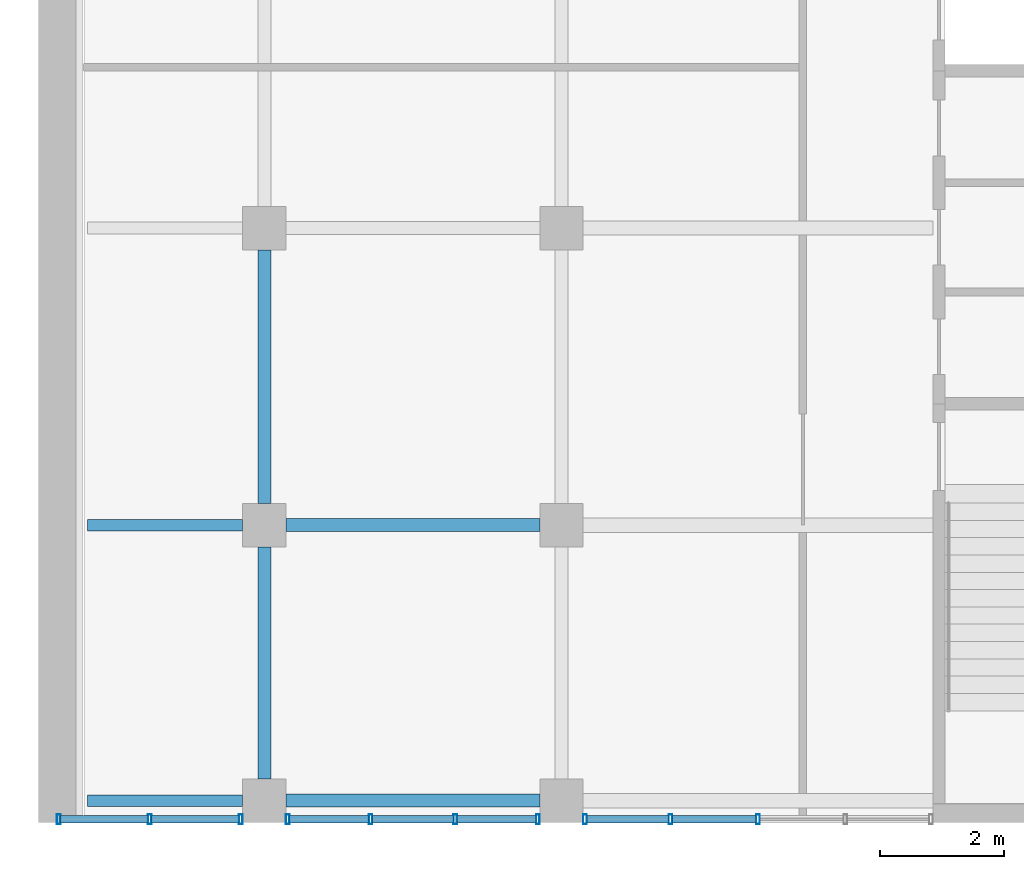
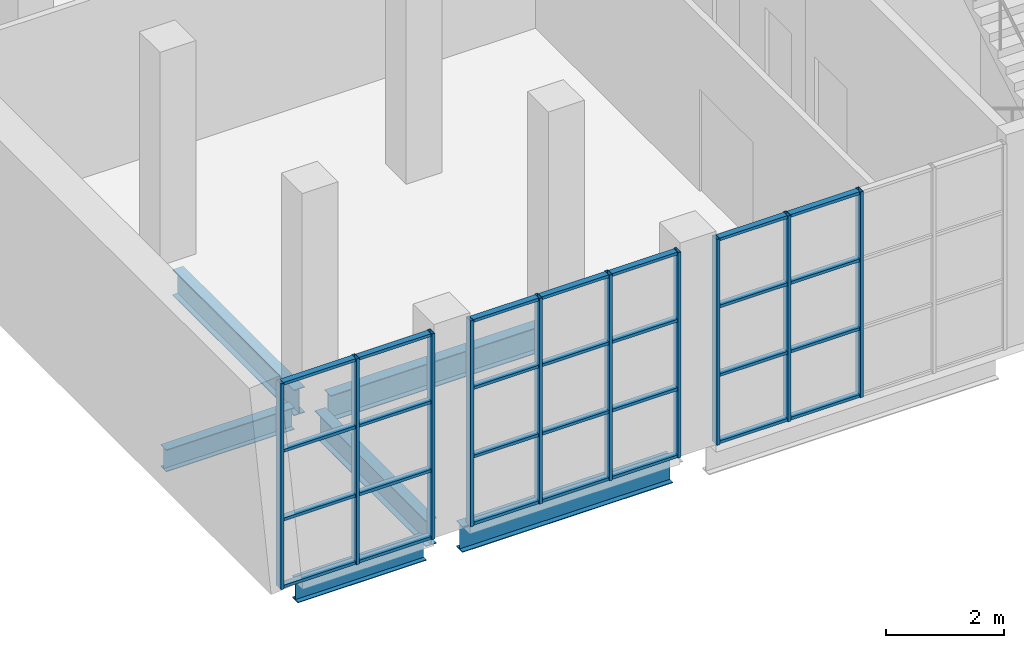
# One storey, part 3 of 30: 38 members, 6 beams, 3 elements without a shape of their own.
"""IFC4 building model written with IfcOpenShell, lengths in metres."""

from ifc_helpers import new_model, si_unit, direction, frame, origin, origin_2d, place, context, subcontext, project, spatial, hollow_rectangle, i_section, extrude, material, layer, layer_set, material_profile, profile_set, type_object, element, aggregate, save


model = new_model("IFC4")

# Units and contexts
model_context = context("Model", 3, precision=1e-05, world=origin(), true_north=direction((0.0, 1.0)))
body_context = subcontext(model_context, "Body", "Model", "MODEL_VIEW")
ifc_project = project(units=[si_unit("LENGTHUNIT", "METRE"), si_unit("AREAUNIT", "SQUARE_METRE"), si_unit("VOLUMEUNIT", "CUBIC_METRE"), si_unit("PLANEANGLEUNIT", "RADIAN"), si_unit("MASSUNIT", "GRAM", prefix="KILO")], contexts=[model_context])

# Site, building, storey
site_placement = place(None, origin())
site = spatial("IfcSite", under=ifc_project, at=site_placement, CompositionType="ELEMENT")
building_placement = place(site_placement, origin())
building = spatial("IfcBuilding", under=site, at=building_placement, Name="Baori Bourse Tower", CompositionType="ELEMENT")
storey_placement = place(building_placement, frame((0.0, 0.0, 17.0)))
storey = spatial("IfcBuildingStorey", under=building, at=storey_placement, Name="L02", CompositionType="ELEMENT", Elevation=17.0)

# Beams
ifc_material_1 = material(Name="Steel A992 Gr 50", Category="steel")
ifc_material_profile_1 = material_profile(ifc_material_1, i_section(OverallWidth=0.1904296875, OverallDepth=0.457275390625, WebThickness=0.009033203125, FlangeThickness=0.014404296875, at=origin_2d()), Name="W18x50")
ifc_profile_set_1 = profile_set([ifc_material_profile_1], Name="Steel A992 Gr 50")
beam_type_1 = type_object("IfcBeamType", Name="Wing beam W18x50", PredefinedType="BEAM", material=ifc_profile_set_1)
for number, where, z_axis, x_axis, name in (
    (1, (-17.2529296875, -24.85009765625, -0.388671875), (1.0, 0.0, 0.0), (0.0, 1.0, 0.0), "wing/L02/Wbeam/001"),
    (2, (-17.2529296875, -20.39990234375, -0.388671875), (1.0, 0.0, 0.0), (0.0, 1.0, 0.0), "wing/L02/Wbeam/004"),
):
    element("IfcBeam", number, at=place(storey_placement, frame(where, z_axis=z_axis, x_axis=x_axis)), inside=storey, type_object=beam_type_1, Name=name, PredefinedType="BEAM", context=body_context, shape_type="SweptSolid", body=[
        extrude(i_section(OverallWidth=0.1904296875, OverallDepth=0.457275390625, WebThickness=0.009033203125, FlangeThickness=0.014404296875, at=origin_2d()), origin(), (0.0, 0.0, 1.0), 2.5029296875),
    ])
ifc_material_2 = material(Name="Steel A992 Gr 50", Category="steel")
ifc_material_profile_2 = material_profile(ifc_material_2, i_section(OverallWidth=0.209228515625, OverallDepth=0.533447265625, WebThickness=0.01025390625, FlangeThickness=0.015625, at=origin_2d()), Name="W21x62")
ifc_profile_set_2 = profile_set([ifc_material_profile_2], Name="Steel A992 Gr 50")
beam_type_2 = type_object("IfcBeamType", Name="Wing beam W21x62", PredefinedType="BEAM", material=ifc_profile_set_2)
for number, where, z_axis, x_axis, name in (
    (3, (-14.050048828125, -24.85009765625, -0.4267578125), (1.0, 0.0, 0.0), (0.0, 1.0, 0.0), "wing/L02/Wbeam/002"),
    (4, (-14.050048828125, -20.39990234375, -0.4267578125), (1.0, 0.0, 0.0), (0.0, 1.0, 0.0), "wing/L02/Wbeam/005"),
):
    element("IfcBeam", number, at=place(storey_placement, frame(where, z_axis=z_axis, x_axis=x_axis)), inside=storey, type_object=beam_type_2, Name=name, PredefinedType="BEAM", context=body_context, shape_type="SweptSolid", body=[
        extrude(i_section(OverallWidth=0.209228515625, OverallDepth=0.533447265625, WebThickness=0.01025390625, FlangeThickness=0.015625, at=origin_2d()), origin(), (0.0, 0.0, 1.0), 4.10009765625),
    ])
beam_1_placement = place(storey_placement, frame((-14.39990234375, -24.5, -0.4267578125), z_axis=(0.0, 1.0, 0.0), x_axis=(-1.0, 0.0, 0.0)))
element("IfcBeam", 5, at=beam_1_placement, inside=storey, type_object=beam_type_2, Name="wing/L02/Wbeamy/001", PredefinedType="BEAM", context=body_context, shape_type="SweptSolid", body=[
    extrude(i_section(OverallWidth=0.209228515625, OverallDepth=0.533447265625, WebThickness=0.01025390625, FlangeThickness=0.015625, at=origin_2d()), origin(), (0.0, 0.0, 1.0), 3.75),
])
beam_2_placement = place(storey_placement, frame((-14.39990234375, -20.050048828125, -0.4267578125), z_axis=(0.0, 1.0, 0.0), x_axis=(-1.0, 0.0, 0.0)))
element("IfcBeam", 6, at=beam_2_placement, inside=storey, type_object=beam_type_2, Name="wing/L02/Wbeamy/002", PredefinedType="BEAM", context=body_context, shape_type="SweptSolid", body=[
    extrude(i_section(OverallWidth=0.209228515625, OverallDepth=0.533447265625, WebThickness=0.01025390625, FlangeThickness=0.015625, at=origin_2d()), origin(), (0.0, 0.0, 1.0), 4.10009765625),
])

# Curtain wall, members
ifc_material_3 = material(Name="Pale anodised aluminium", Category="aluminium")
ifc_layer = layer(ifc_material_3, 0.10009765625)
ifc_layer_set = layer_set([ifc_layer], Name="Wing curtain wall")
curtain_wall_type = type_object("IfcCurtainWallType", Name="Wing curtain wall", PredefinedType="NOTDEFINED", material=ifc_layer_set)
curtain_wall_1_placement = place(storey_placement, origin())
curtain_wall_1 = element("IfcCurtainWall", 7, at=curtain_wall_1_placement, inside=storey, type_object=curtain_wall_type, Name="wing/L02/Wcw/001", PredefinedType="NOTDEFINED")
ifc_material_4 = material(Name="Pale anodised aluminium", Category="aluminium")
ifc_material_profile_3 = material_profile(ifc_material_4, hollow_rectangle(XDim=0.159912109375, YDim=0.06005859375, WallThickness=0.0048828125, at=origin_2d()), Name="Mullion 160x60x5")
ifc_profile_set_3 = profile_set([ifc_material_profile_3], Name="Pale anodised aluminium")
member_type_1 = type_object("IfcMemberType", Name="Wing mullion 60x160", PredefinedType="MULLION", material=ifc_profile_set_3)
member_1_placement = place(storey_placement, frame((-17.719970703125, -25.14990234375, 0.0), z_axis=(0.0, 0.0, 1.0), x_axis=(0.0, 1.0, 0.0)))
member_1 = element("IfcMember", 8, at=member_1_placement, type_object=member_type_1, Name="X12 mullion 1", PredefinedType="MULLION", context=body_context, shape_type="SweptSolid", body=[
    extrude(hollow_rectangle(XDim=0.159912109375, YDim=0.06005859375, WallThickness=0.0048828125, at=origin_2d()), origin(), (0.0, 0.0, 1.0), 4.239990234375),
])
member_2_placement = place(storey_placement, frame((-16.25, -25.14990234375, 0.0), z_axis=(0.0, 0.0, 1.0), x_axis=(0.0, 1.0, 0.0)))
member_2 = element("IfcMember", 9, at=member_2_placement, type_object=member_type_1, Name="X12 mullion 2", PredefinedType="MULLION", context=body_context, shape_type="SweptSolid", body=[
    extrude(hollow_rectangle(XDim=0.159912109375, YDim=0.06005859375, WallThickness=0.0048828125, at=origin_2d()), origin(), (0.0, 0.0, 1.0), 4.239990234375),
])
member_3_placement = place(storey_placement, frame((-14.780029296875, -25.14990234375, 0.0), z_axis=(0.0, 0.0, 1.0), x_axis=(0.0, 1.0, 0.0)))
member_3 = element("IfcMember", 10, at=member_3_placement, type_object=member_type_1, Name="X12 mullion 3", PredefinedType="MULLION", context=body_context, shape_type="SweptSolid", body=[
    extrude(hollow_rectangle(XDim=0.159912109375, YDim=0.06005859375, WallThickness=0.0048828125, at=origin_2d()), origin(), (0.0, 0.0, 1.0), 4.239990234375),
])

curtain_wall_2_placement = place(storey_placement, origin())
curtain_wall_2 = element("IfcCurtainWall", 11, at=curtain_wall_2_placement, inside=storey, type_object=curtain_wall_type, Name="wing/L02/Wcw/002", PredefinedType="NOTDEFINED")
member_4_placement = place(storey_placement, frame((-14.02001953125, -25.14990234375, 0.0), z_axis=(0.0, 0.0, 1.0), x_axis=(0.0, 1.0, 0.0)))
member_4 = element("IfcMember", 12, at=member_4_placement, type_object=member_type_1, Name="X12 mullion 1", PredefinedType="MULLION", context=body_context, shape_type="SweptSolid", body=[
    extrude(hollow_rectangle(XDim=0.159912109375, YDim=0.06005859375, WallThickness=0.0048828125, at=origin_2d()), origin(), (0.0, 0.0, 1.0), 4.239990234375),
])
member_5_placement = place(storey_placement, frame((-12.683349609375, -25.14990234375, 0.0), z_axis=(0.0, 0.0, 1.0), x_axis=(0.0, 1.0, 0.0)))
member_5 = element("IfcMember", 13, at=member_5_placement, type_object=member_type_1, Name="X12 mullion 2", PredefinedType="MULLION", context=body_context, shape_type="SweptSolid", body=[
    extrude(hollow_rectangle(XDim=0.159912109375, YDim=0.06005859375, WallThickness=0.0048828125, at=origin_2d()), origin(), (0.0, 0.0, 1.0), 4.239990234375),
])
member_6_placement = place(storey_placement, frame((-11.316650390625, -25.14990234375, 0.0), z_axis=(0.0, 0.0, 1.0), x_axis=(0.0, 1.0, 0.0)))
member_6 = element("IfcMember", 14, at=member_6_placement, type_object=member_type_1, Name="X12 mullion 3", PredefinedType="MULLION", context=body_context, shape_type="SweptSolid", body=[
    extrude(hollow_rectangle(XDim=0.159912109375, YDim=0.06005859375, WallThickness=0.0048828125, at=origin_2d()), origin(), (0.0, 0.0, 1.0), 4.239990234375),
])
member_7_placement = place(storey_placement, frame((-9.97998046875, -25.14990234375, 0.0), z_axis=(0.0, 0.0, 1.0), x_axis=(0.0, 1.0, 0.0)))
member_7 = element("IfcMember", 15, at=member_7_placement, type_object=member_type_1, Name="X12 mullion 4", PredefinedType="MULLION", context=body_context, shape_type="SweptSolid", body=[
    extrude(hollow_rectangle(XDim=0.159912109375, YDim=0.06005859375, WallThickness=0.0048828125, at=origin_2d()), origin(), (0.0, 0.0, 1.0), 4.239990234375),
])

curtain_wall_3_placement = place(storey_placement, origin())
curtain_wall_3 = element("IfcCurtainWall", 16, at=curtain_wall_3_placement, inside=storey, type_object=curtain_wall_type, Name="wing/L02/Wcw/003", PredefinedType="NOTDEFINED")
member_8_placement = place(storey_placement, frame((-9.219970703125, -25.14990234375, 0.0), z_axis=(0.0, 0.0, 1.0), x_axis=(0.0, 1.0, 0.0)))
member_8 = element("IfcMember", 17, at=member_8_placement, type_object=member_type_1, Name="X12 mullion 1", PredefinedType="MULLION", context=body_context, shape_type="SweptSolid", body=[
    extrude(hollow_rectangle(XDim=0.159912109375, YDim=0.06005859375, WallThickness=0.0048828125, at=origin_2d()), origin(), (0.0, 0.0, 1.0), 4.239990234375),
])
member_9_placement = place(storey_placement, frame((-7.83740234375, -25.14990234375, 0.0), z_axis=(0.0, 0.0, 1.0), x_axis=(0.0, 1.0, 0.0)))
member_9 = element("IfcMember", 18, at=member_9_placement, type_object=member_type_1, Name="X12 mullion 2", PredefinedType="MULLION", context=body_context, shape_type="SweptSolid", body=[
    extrude(hollow_rectangle(XDim=0.159912109375, YDim=0.06005859375, WallThickness=0.0048828125, at=origin_2d()), origin(), (0.0, 0.0, 1.0), 4.239990234375),
])
member_10_placement = place(storey_placement, frame((-6.425048828125, -25.14990234375, 0.0), z_axis=(0.0, 0.0, 1.0), x_axis=(0.0, 1.0, 0.0)))
member_10 = element("IfcMember", 19, at=member_10_placement, type_object=member_type_1, Name="X12 mullion 3", PredefinedType="MULLION", context=body_context, shape_type="SweptSolid", body=[
    extrude(hollow_rectangle(XDim=0.159912109375, YDim=0.06005859375, WallThickness=0.0048828125, at=origin_2d()), origin(), (0.0, 0.0, 1.0), 4.239990234375),
])

# Member
ifc_material_5 = material(Name="Pale anodised aluminium", Category="aluminium")
ifc_material_profile_4 = material_profile(ifc_material_5, hollow_rectangle(XDim=0.1201171875, YDim=0.06005859375, WallThickness=0.0048828125, at=origin_2d()), Name="Transom 120x60x5")
ifc_profile_set_4 = profile_set([ifc_material_profile_4], Name="Pale anodised aluminium")
member_type_2 = type_object("IfcMemberType", Name="Wing transom 120x60", PredefinedType="USERDEFINED", material=ifc_profile_set_4)
member_11_placement = place(storey_placement, frame((-17.68994140625, -25.14990234375, 0.030029296875), z_axis=(1.0, 0.0, 0.0), x_axis=(0.0, 1.0, 0.0)))
member_11 = element("IfcMember", 20, at=member_11_placement, type_object=member_type_2, Name="X12 transom 1.1", ObjectType="TRANSOM", PredefinedType="USERDEFINED", context=body_context, shape_type="SweptSolid", body=[
    extrude(hollow_rectangle(XDim=0.1201171875, YDim=0.06005859375, WallThickness=0.0048828125, at=origin_2d()), origin(), (0.0, 0.0, 1.0), 1.409912109375),
])

member_12_placement = place(storey_placement, frame((-17.68994140625, -25.14990234375, 1.413330078125), z_axis=(1.0, 0.0, 0.0), x_axis=(0.0, 1.0, 0.0)))
member_12 = element("IfcMember", 21, at=member_12_placement, type_object=member_type_2, Name="X12 transom 1.2", ObjectType="TRANSOM", PredefinedType="USERDEFINED", context=body_context, shape_type="SweptSolid", body=[
    extrude(hollow_rectangle(XDim=0.1201171875, YDim=0.06005859375, WallThickness=0.0048828125, at=origin_2d()), origin(), (0.0, 0.0, 1.0), 1.409912109375),
])

member_13_placement = place(storey_placement, frame((-17.68994140625, -25.14990234375, 2.82666015625), z_axis=(1.0, 0.0, 0.0), x_axis=(0.0, 1.0, 0.0)))
member_13 = element("IfcMember", 22, at=member_13_placement, type_object=member_type_2, Name="X12 transom 1.3", ObjectType="TRANSOM", PredefinedType="USERDEFINED", context=body_context, shape_type="SweptSolid", body=[
    extrude(hollow_rectangle(XDim=0.1201171875, YDim=0.06005859375, WallThickness=0.0048828125, at=origin_2d()), origin(), (0.0, 0.0, 1.0), 1.409912109375),
])

member_14_placement = place(storey_placement, frame((-17.68994140625, -25.14990234375, 4.2099609375), z_axis=(1.0, 0.0, 0.0), x_axis=(0.0, 1.0, 0.0)))
member_14 = element("IfcMember", 23, at=member_14_placement, type_object=member_type_2, Name="X12 transom 1.4", ObjectType="TRANSOM", PredefinedType="USERDEFINED", context=body_context, shape_type="SweptSolid", body=[
    extrude(hollow_rectangle(XDim=0.1201171875, YDim=0.06005859375, WallThickness=0.0048828125, at=origin_2d()), origin(), (0.0, 0.0, 1.0), 1.409912109375),
])

member_15_placement = place(storey_placement, frame((-16.219970703125, -25.14990234375, 0.030029296875), z_axis=(1.0, 0.0, 0.0), x_axis=(0.0, 1.0, 0.0)))
member_15 = element("IfcMember", 24, at=member_15_placement, type_object=member_type_2, Name="X12 transom 2.1", ObjectType="TRANSOM", PredefinedType="USERDEFINED", context=body_context, shape_type="SweptSolid", body=[
    extrude(hollow_rectangle(XDim=0.1201171875, YDim=0.06005859375, WallThickness=0.0048828125, at=origin_2d()), origin(), (0.0, 0.0, 1.0), 1.409912109375),
])

member_16_placement = place(storey_placement, frame((-16.219970703125, -25.14990234375, 1.413330078125), z_axis=(1.0, 0.0, 0.0), x_axis=(0.0, 1.0, 0.0)))
member_16 = element("IfcMember", 25, at=member_16_placement, type_object=member_type_2, Name="X12 transom 2.2", ObjectType="TRANSOM", PredefinedType="USERDEFINED", context=body_context, shape_type="SweptSolid", body=[
    extrude(hollow_rectangle(XDim=0.1201171875, YDim=0.06005859375, WallThickness=0.0048828125, at=origin_2d()), origin(), (0.0, 0.0, 1.0), 1.409912109375),
])

member_17_placement = place(storey_placement, frame((-16.219970703125, -25.14990234375, 2.82666015625), z_axis=(1.0, 0.0, 0.0), x_axis=(0.0, 1.0, 0.0)))
member_17 = element("IfcMember", 26, at=member_17_placement, type_object=member_type_2, Name="X12 transom 2.3", ObjectType="TRANSOM", PredefinedType="USERDEFINED", context=body_context, shape_type="SweptSolid", body=[
    extrude(hollow_rectangle(XDim=0.1201171875, YDim=0.06005859375, WallThickness=0.0048828125, at=origin_2d()), origin(), (0.0, 0.0, 1.0), 1.409912109375),
])

member_18_placement = place(storey_placement, frame((-16.219970703125, -25.14990234375, 4.2099609375), z_axis=(1.0, 0.0, 0.0), x_axis=(0.0, 1.0, 0.0)))
member_18 = element("IfcMember", 27, at=member_18_placement, type_object=member_type_2, Name="X12 transom 2.4", ObjectType="TRANSOM", PredefinedType="USERDEFINED", context=body_context, shape_type="SweptSolid", body=[
    extrude(hollow_rectangle(XDim=0.1201171875, YDim=0.06005859375, WallThickness=0.0048828125, at=origin_2d()), origin(), (0.0, 0.0, 1.0), 1.409912109375),
])

aggregate(curtain_wall_1, [member_1, member_2, member_3, member_11, member_12, member_13, member_14, member_15, member_16, member_17, member_18])

member_19_placement = place(storey_placement, frame((-13.989990234375, -25.14990234375, 0.030029296875), z_axis=(1.0, 0.0, 0.0), x_axis=(0.0, 1.0, 0.0)))
member_19 = element("IfcMember", 28, at=member_19_placement, type_object=member_type_2, Name="X12 transom 1.1", ObjectType="TRANSOM", PredefinedType="USERDEFINED", context=body_context, shape_type="SweptSolid", body=[
    extrude(hollow_rectangle(XDim=0.1201171875, YDim=0.06005859375, WallThickness=0.0048828125, at=origin_2d()), origin(), (0.0, 0.0, 1.0), 1.276611328125),
])

member_20_placement = place(storey_placement, frame((-13.989990234375, -25.14990234375, 1.413330078125), z_axis=(1.0, 0.0, 0.0), x_axis=(0.0, 1.0, 0.0)))
member_20 = element("IfcMember", 29, at=member_20_placement, type_object=member_type_2, Name="X12 transom 1.2", ObjectType="TRANSOM", PredefinedType="USERDEFINED", context=body_context, shape_type="SweptSolid", body=[
    extrude(hollow_rectangle(XDim=0.1201171875, YDim=0.06005859375, WallThickness=0.0048828125, at=origin_2d()), origin(), (0.0, 0.0, 1.0), 1.276611328125),
])

member_21_placement = place(storey_placement, frame((-13.989990234375, -25.14990234375, 2.82666015625), z_axis=(1.0, 0.0, 0.0), x_axis=(0.0, 1.0, 0.0)))
member_21 = element("IfcMember", 30, at=member_21_placement, type_object=member_type_2, Name="X12 transom 1.3", ObjectType="TRANSOM", PredefinedType="USERDEFINED", context=body_context, shape_type="SweptSolid", body=[
    extrude(hollow_rectangle(XDim=0.1201171875, YDim=0.06005859375, WallThickness=0.0048828125, at=origin_2d()), origin(), (0.0, 0.0, 1.0), 1.276611328125),
])

member_22_placement = place(storey_placement, frame((-13.989990234375, -25.14990234375, 4.2099609375), z_axis=(1.0, 0.0, 0.0), x_axis=(0.0, 1.0, 0.0)))
member_22 = element("IfcMember", 31, at=member_22_placement, type_object=member_type_2, Name="X12 transom 1.4", ObjectType="TRANSOM", PredefinedType="USERDEFINED", context=body_context, shape_type="SweptSolid", body=[
    extrude(hollow_rectangle(XDim=0.1201171875, YDim=0.06005859375, WallThickness=0.0048828125, at=origin_2d()), origin(), (0.0, 0.0, 1.0), 1.276611328125),
])

member_23_placement = place(storey_placement, frame((-12.6533203125, -25.14990234375, 0.030029296875), z_axis=(1.0, 0.0, 0.0), x_axis=(0.0, 1.0, 0.0)))
member_23 = element("IfcMember", 32, at=member_23_placement, type_object=member_type_2, Name="X12 transom 2.1", ObjectType="TRANSOM", PredefinedType="USERDEFINED", context=body_context, shape_type="SweptSolid", body=[
    extrude(hollow_rectangle(XDim=0.1201171875, YDim=0.06005859375, WallThickness=0.0048828125, at=origin_2d()), origin(), (0.0, 0.0, 1.0), 1.306640625),
])

member_24_placement = place(storey_placement, frame((-12.6533203125, -25.14990234375, 1.413330078125), z_axis=(1.0, 0.0, 0.0), x_axis=(0.0, 1.0, 0.0)))
member_24 = element("IfcMember", 33, at=member_24_placement, type_object=member_type_2, Name="X12 transom 2.2", ObjectType="TRANSOM", PredefinedType="USERDEFINED", context=body_context, shape_type="SweptSolid", body=[
    extrude(hollow_rectangle(XDim=0.1201171875, YDim=0.06005859375, WallThickness=0.0048828125, at=origin_2d()), origin(), (0.0, 0.0, 1.0), 1.306640625),
])

member_25_placement = place(storey_placement, frame((-12.6533203125, -25.14990234375, 2.82666015625), z_axis=(1.0, 0.0, 0.0), x_axis=(0.0, 1.0, 0.0)))
member_25 = element("IfcMember", 34, at=member_25_placement, type_object=member_type_2, Name="X12 transom 2.3", ObjectType="TRANSOM", PredefinedType="USERDEFINED", context=body_context, shape_type="SweptSolid", body=[
    extrude(hollow_rectangle(XDim=0.1201171875, YDim=0.06005859375, WallThickness=0.0048828125, at=origin_2d()), origin(), (0.0, 0.0, 1.0), 1.306640625),
])

member_26_placement = place(storey_placement, frame((-12.6533203125, -25.14990234375, 4.2099609375), z_axis=(1.0, 0.0, 0.0), x_axis=(0.0, 1.0, 0.0)))
member_26 = element("IfcMember", 35, at=member_26_placement, type_object=member_type_2, Name="X12 transom 2.4", ObjectType="TRANSOM", PredefinedType="USERDEFINED", context=body_context, shape_type="SweptSolid", body=[
    extrude(hollow_rectangle(XDim=0.1201171875, YDim=0.06005859375, WallThickness=0.0048828125, at=origin_2d()), origin(), (0.0, 0.0, 1.0), 1.306640625),
])

member_27_placement = place(storey_placement, frame((-11.28662109375, -25.14990234375, 0.030029296875), z_axis=(1.0, 0.0, 0.0), x_axis=(0.0, 1.0, 0.0)))
member_27 = element("IfcMember", 36, at=member_27_placement, type_object=member_type_2, Name="X12 transom 3.1", ObjectType="TRANSOM", PredefinedType="USERDEFINED", context=body_context, shape_type="SweptSolid", body=[
    extrude(hollow_rectangle(XDim=0.1201171875, YDim=0.06005859375, WallThickness=0.0048828125, at=origin_2d()), origin(), (0.0, 0.0, 1.0), 1.276611328125),
])

member_28_placement = place(storey_placement, frame((-11.28662109375, -25.14990234375, 1.413330078125), z_axis=(1.0, 0.0, 0.0), x_axis=(0.0, 1.0, 0.0)))
member_28 = element("IfcMember", 37, at=member_28_placement, type_object=member_type_2, Name="X12 transom 3.2", ObjectType="TRANSOM", PredefinedType="USERDEFINED", context=body_context, shape_type="SweptSolid", body=[
    extrude(hollow_rectangle(XDim=0.1201171875, YDim=0.06005859375, WallThickness=0.0048828125, at=origin_2d()), origin(), (0.0, 0.0, 1.0), 1.276611328125),
])

member_29_placement = place(storey_placement, frame((-11.28662109375, -25.14990234375, 2.82666015625), z_axis=(1.0, 0.0, 0.0), x_axis=(0.0, 1.0, 0.0)))
member_29 = element("IfcMember", 38, at=member_29_placement, type_object=member_type_2, Name="X12 transom 3.3", ObjectType="TRANSOM", PredefinedType="USERDEFINED", context=body_context, shape_type="SweptSolid", body=[
    extrude(hollow_rectangle(XDim=0.1201171875, YDim=0.06005859375, WallThickness=0.0048828125, at=origin_2d()), origin(), (0.0, 0.0, 1.0), 1.276611328125),
])

member_30_placement = place(storey_placement, frame((-11.28662109375, -25.14990234375, 4.2099609375), z_axis=(1.0, 0.0, 0.0), x_axis=(0.0, 1.0, 0.0)))
member_30 = element("IfcMember", 39, at=member_30_placement, type_object=member_type_2, Name="X12 transom 3.4", ObjectType="TRANSOM", PredefinedType="USERDEFINED", context=body_context, shape_type="SweptSolid", body=[
    extrude(hollow_rectangle(XDim=0.1201171875, YDim=0.06005859375, WallThickness=0.0048828125, at=origin_2d()), origin(), (0.0, 0.0, 1.0), 1.276611328125),
])

aggregate(curtain_wall_2, [member_4, member_5, member_6, member_7, member_19, member_20, member_21, member_22, member_23, member_24, member_25, member_26, member_27, member_28, member_29, member_30])

member_31_placement = place(storey_placement, frame((-9.18994140625, -25.14990234375, 0.030029296875), z_axis=(1.0, 0.0, 0.0), x_axis=(0.0, 1.0, 0.0)))
member_31 = element("IfcMember", 40, at=member_31_placement, type_object=member_type_2, Name="X12 transom 1.1", ObjectType="TRANSOM", PredefinedType="USERDEFINED", context=body_context, shape_type="SweptSolid", body=[
    extrude(hollow_rectangle(XDim=0.1201171875, YDim=0.06005859375, WallThickness=0.0048828125, at=origin_2d()), origin(), (0.0, 0.0, 1.0), 1.322509765625),
])

member_32_placement = place(storey_placement, frame((-9.18994140625, -25.14990234375, 1.413330078125), z_axis=(1.0, 0.0, 0.0), x_axis=(0.0, 1.0, 0.0)))
member_32 = element("IfcMember", 41, at=member_32_placement, type_object=member_type_2, Name="X12 transom 1.2", ObjectType="TRANSOM", PredefinedType="USERDEFINED", context=body_context, shape_type="SweptSolid", body=[
    extrude(hollow_rectangle(XDim=0.1201171875, YDim=0.06005859375, WallThickness=0.0048828125, at=origin_2d()), origin(), (0.0, 0.0, 1.0), 1.322509765625),
])

member_33_placement = place(storey_placement, frame((-9.18994140625, -25.14990234375, 2.82666015625), z_axis=(1.0, 0.0, 0.0), x_axis=(0.0, 1.0, 0.0)))
member_33 = element("IfcMember", 42, at=member_33_placement, type_object=member_type_2, Name="X12 transom 1.3", ObjectType="TRANSOM", PredefinedType="USERDEFINED", context=body_context, shape_type="SweptSolid", body=[
    extrude(hollow_rectangle(XDim=0.1201171875, YDim=0.06005859375, WallThickness=0.0048828125, at=origin_2d()), origin(), (0.0, 0.0, 1.0), 1.322509765625),
])

member_34_placement = place(storey_placement, frame((-9.18994140625, -25.14990234375, 4.2099609375), z_axis=(1.0, 0.0, 0.0), x_axis=(0.0, 1.0, 0.0)))
member_34 = element("IfcMember", 43, at=member_34_placement, type_object=member_type_2, Name="X12 transom 1.4", ObjectType="TRANSOM", PredefinedType="USERDEFINED", context=body_context, shape_type="SweptSolid", body=[
    extrude(hollow_rectangle(XDim=0.1201171875, YDim=0.06005859375, WallThickness=0.0048828125, at=origin_2d()), origin(), (0.0, 0.0, 1.0), 1.322509765625),
])

member_35_placement = place(storey_placement, frame((-7.8076171875, -25.14990234375, 0.030029296875), z_axis=(1.0, 0.0, 0.0), x_axis=(0.0, 1.0, 0.0)))
member_35 = element("IfcMember", 44, at=member_35_placement, type_object=member_type_2, Name="X12 transom 2.1", ObjectType="TRANSOM", PredefinedType="USERDEFINED", context=body_context, shape_type="SweptSolid", body=[
    extrude(hollow_rectangle(XDim=0.1201171875, YDim=0.06005859375, WallThickness=0.0048828125, at=origin_2d()), origin(), (0.0, 0.0, 1.0), 1.3525390625),
])

member_36_placement = place(storey_placement, frame((-7.8076171875, -25.14990234375, 1.413330078125), z_axis=(1.0, 0.0, 0.0), x_axis=(0.0, 1.0, 0.0)))
member_36 = element("IfcMember", 45, at=member_36_placement, type_object=member_type_2, Name="X12 transom 2.2", ObjectType="TRANSOM", PredefinedType="USERDEFINED", context=body_context, shape_type="SweptSolid", body=[
    extrude(hollow_rectangle(XDim=0.1201171875, YDim=0.06005859375, WallThickness=0.0048828125, at=origin_2d()), origin(), (0.0, 0.0, 1.0), 1.3525390625),
])

member_37_placement = place(storey_placement, frame((-7.8076171875, -25.14990234375, 2.82666015625), z_axis=(1.0, 0.0, 0.0), x_axis=(0.0, 1.0, 0.0)))
member_37 = element("IfcMember", 46, at=member_37_placement, type_object=member_type_2, Name="X12 transom 2.3", ObjectType="TRANSOM", PredefinedType="USERDEFINED", context=body_context, shape_type="SweptSolid", body=[
    extrude(hollow_rectangle(XDim=0.1201171875, YDim=0.06005859375, WallThickness=0.0048828125, at=origin_2d()), origin(), (0.0, 0.0, 1.0), 1.3525390625),
])

member_38_placement = place(storey_placement, frame((-7.8076171875, -25.14990234375, 4.2099609375), z_axis=(1.0, 0.0, 0.0), x_axis=(0.0, 1.0, 0.0)))
member_38 = element("IfcMember", 47, at=member_38_placement, type_object=member_type_2, Name="X12 transom 2.4", ObjectType="TRANSOM", PredefinedType="USERDEFINED", context=body_context, shape_type="SweptSolid", body=[
    extrude(hollow_rectangle(XDim=0.1201171875, YDim=0.06005859375, WallThickness=0.0048828125, at=origin_2d()), origin(), (0.0, 0.0, 1.0), 1.3525390625),
])

aggregate(curtain_wall_3, [member_8, member_9, member_10, member_31, member_32, member_33, member_34, member_35, member_36, member_37, member_38])

save(model, "model.ifc")
